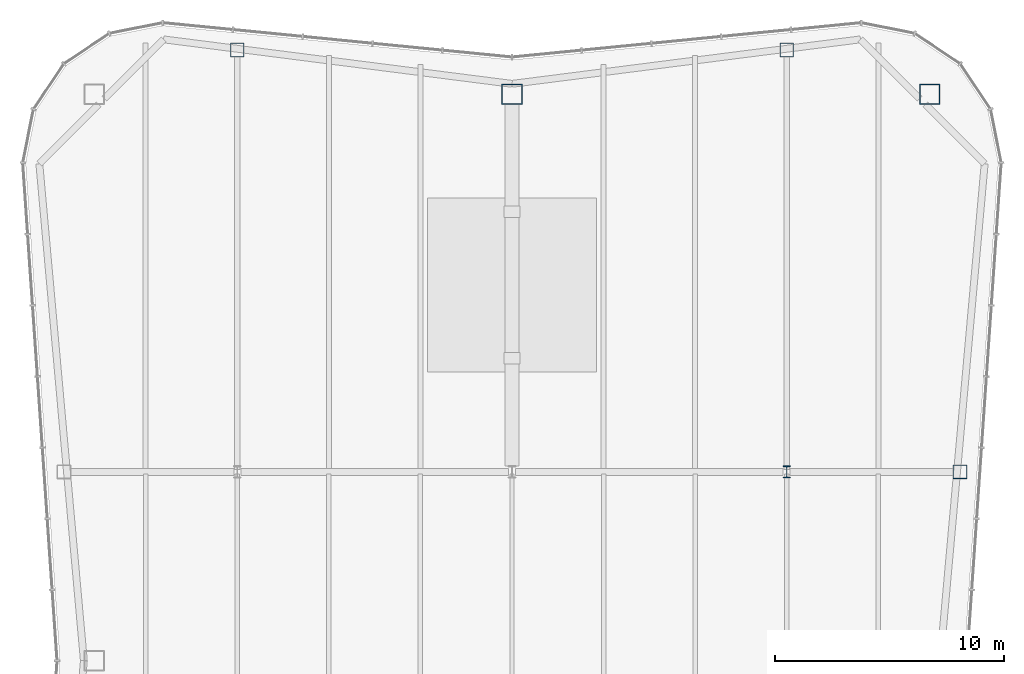
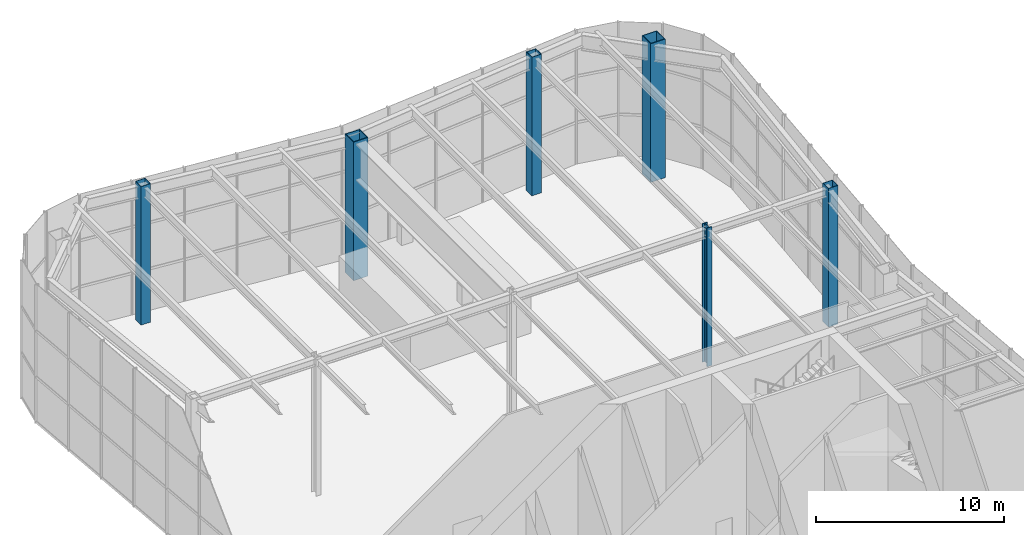
# One storey, part 2 of 16: 6 columns.
"""IFC4 building model written with IfcOpenShell, lengths in metres."""

from ifc_helpers import new_model, si_unit, direction, frame, origin, origin_2d, place, context, subcontext, project, spatial, hollow_rectangle, i_section, extrude, material, material_profile, profile_set, type_object, element, save


model = new_model("IFC4")

# Units and contexts
model_context = context("Model", 3, precision=1e-05, world=origin(), true_north=direction((0.0, 1.0)))
body_context = subcontext(model_context, "Body", "Model", "MODEL_VIEW")
ifc_project = project(units=[si_unit("LENGTHUNIT", "METRE"), si_unit("AREAUNIT", "SQUARE_METRE"), si_unit("VOLUMEUNIT", "CUBIC_METRE"), si_unit("PLANEANGLEUNIT", "RADIAN"), si_unit("MASSUNIT", "GRAM", prefix="KILO")], contexts=[model_context])

# Site, building, storey
site_placement = place(None, origin())
site = spatial("IfcSite", under=ifc_project, at=site_placement, CompositionType="ELEMENT")
building_placement = place(site_placement, origin())
building = spatial("IfcBuilding", under=site, at=building_placement, Name="Verdant Reach Tower", CompositionType="ELEMENT")
storey_placement = place(building_placement, frame((0.0, 0.0, 340.5)))
storey = spatial("IfcBuildingStorey", under=building, at=storey_placement, Name="L78 Damper", CompositionType="ELEMENT", Elevation=340.5)

# Columns
ifc_material = material(Name="Steel S460", Category="steel")
ifc_material_profile_1 = material_profile(ifc_material, i_section(OverallWidth=0.305908203125, OverallDepth=0.52392578125, WebThickness=0.012451171875, FlangeThickness=0.0400390625, FilletRadius=0.027099609375, at=origin_2d()), Name="HEM 500")
ifc_profile_set_1 = profile_set([ifc_material_profile_1], Name="Steel S460")
column_type_1 = type_object("IfcColumnType", Name="ST-COL-HEM500", PredefinedType="COLUMN", material=ifc_profile_set_1)
column_placement = place(storey_placement, frame((12.0, 49.5, 0.0), z_axis=(0.0, 0.0, 1.0), x_axis=(1.0, 0.0, 0.0)))
element("IfcColumn", 1, at=column_placement, inside=storey, type_object=column_type_1, Name="Interior column 3, L78 Damper", PredefinedType="COLUMN", context=body_context, shape_type="SweptSolid", body=[
    extrude(i_section(OverallWidth=0.305908203125, OverallDepth=0.52392578125, WebThickness=0.012451171875, FlangeThickness=0.0400390625, FilletRadius=0.027099609375, at=origin_2d()), origin(), (0.0, 0.0, 1.0), 9.0),
])
ifc_material_profile_2 = material_profile(ifc_material, hollow_rectangle(XDim=0.60009765625, YDim=0.60009765625, WallThickness=0.02490234375, at=origin_2d()), Name="WB 600x600x25")
ifc_profile_set_2 = profile_set([ifc_material_profile_2], Name="Steel S460")
column_type_2 = type_object("IfcColumnType", Name="ST-COL-WB600x600x25", PredefinedType="COLUMN", material=ifc_profile_set_2)
for number, where, z_axis, x_axis, name in (
    (2, (-12.0, 67.930419921875, 0.0), (0.0, 0.0, 1.0), (1.0, 0.0, 0.0), "Perimeter column north 1, L78 Damper"),
    (3, (12.0, 67.930419921875, 0.0), (0.0, 0.0, 1.0), (1.0, 0.0, 0.0), "Perimeter column north 2, L78 Damper"),
    (4, (19.569091796875, 49.5, 0.0), (0.0, 0.0, 1.0), (1.0, 0.0, 0.0), "Perimeter column east 2, L78 Damper"),
):
    element("IfcColumn", number, at=place(storey_placement, frame(where, z_axis=z_axis, x_axis=x_axis)), inside=storey, type_object=column_type_2, Name=name, PredefinedType="COLUMN", context=body_context, shape_type="SweptSolid", body=[
        extrude(hollow_rectangle(XDim=0.60009765625, YDim=0.60009765625, WallThickness=0.02490234375, at=origin_2d()), origin(), (0.0, 0.0, 1.0), 9.0),
    ])
ifc_material_profile_3 = material_profile(ifc_material, hollow_rectangle(XDim=0.89990234375, YDim=0.89990234375, WallThickness=0.0400390625, at=origin_2d()), Name="WB 900x900x40")
ifc_profile_set_3 = profile_set([ifc_material_profile_3], Name="Steel S460")
column_type_3 = type_object("IfcColumnType", Name="ST-COL-WB900x900x40", PredefinedType="COLUMN", material=ifc_profile_set_3)
for number, where, z_axis, x_axis, name in (
    (5, (0.0, 66.0, 0.0), (0.0, 0.0, 1.0), (1.0, 0.0, 0.0), "Mega column north, L78 Damper"),
    (6, (18.25, 66.0, 0.0), (0.0, 0.0, 1.0), (1.0, 0.0, 0.0), "Mega column north-east, L78 Damper"),
):
    element("IfcColumn", number, at=place(storey_placement, frame(where, z_axis=z_axis, x_axis=x_axis)), inside=storey, type_object=column_type_3, Name=name, PredefinedType="COLUMN", context=body_context, shape_type="SweptSolid", body=[
        extrude(hollow_rectangle(XDim=0.89990234375, YDim=0.89990234375, WallThickness=0.0400390625, at=origin_2d()), origin(), (0.0, 0.0, 1.0), 9.0),
    ])

save(model, "model.ifc")
